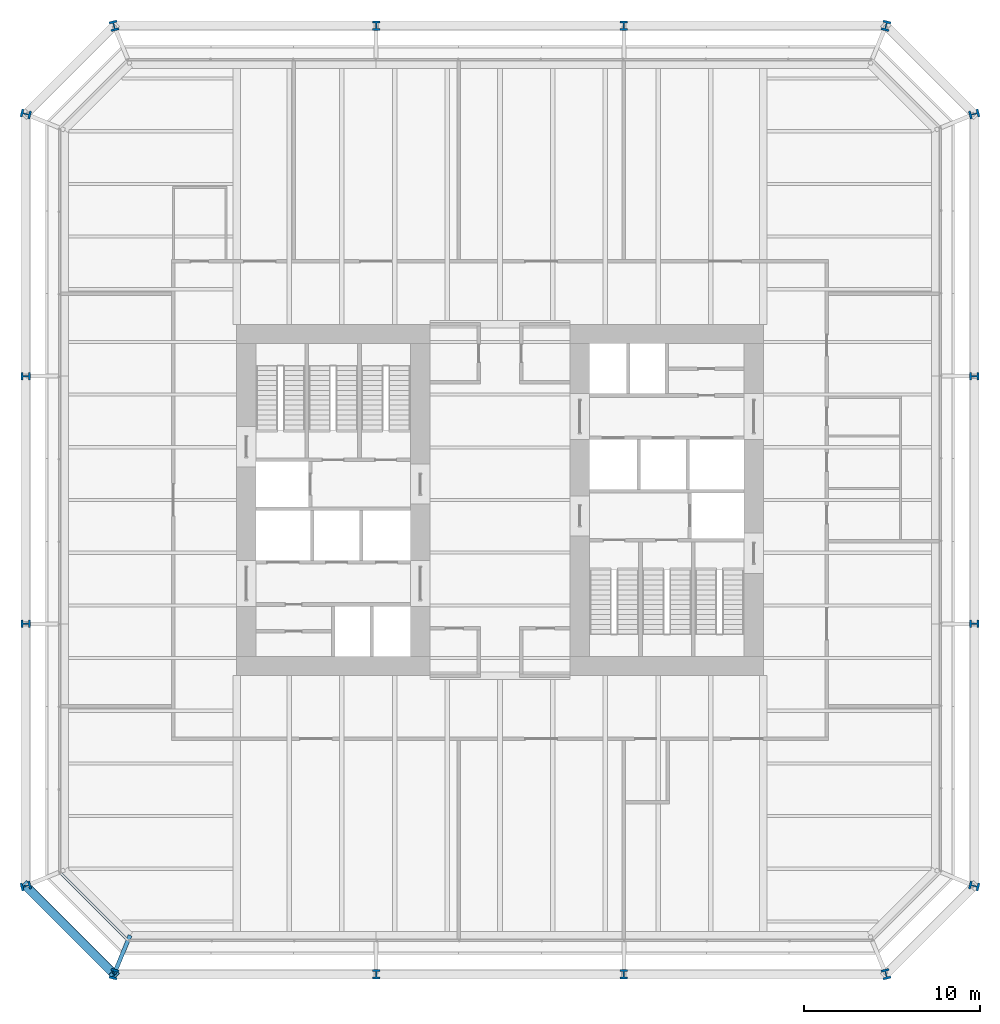
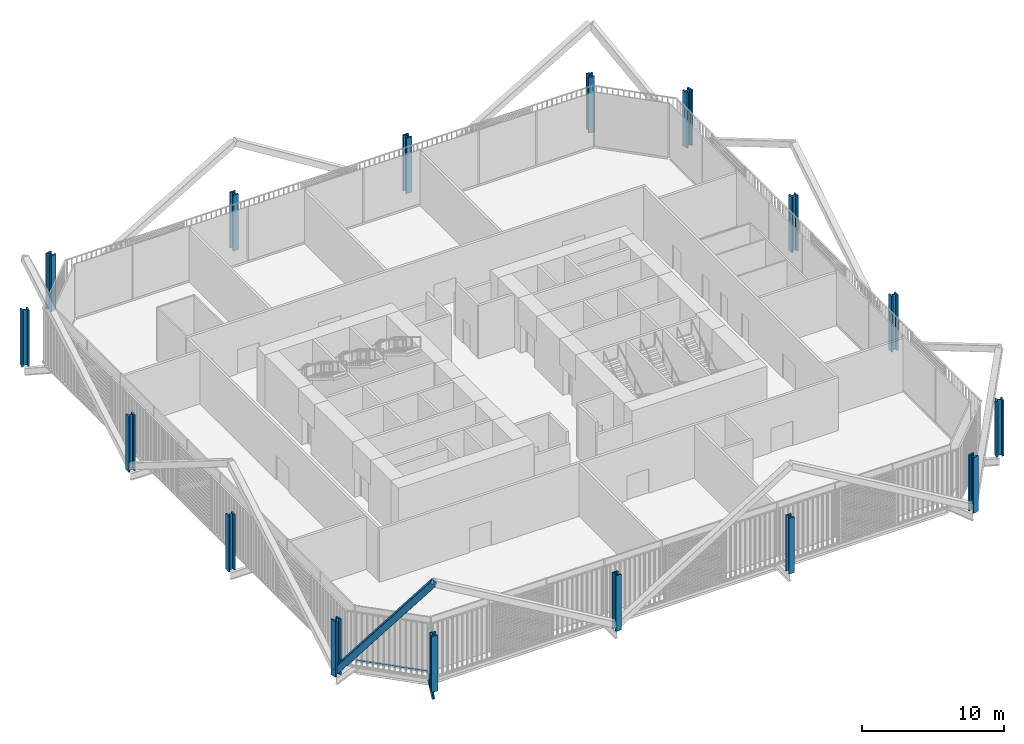
# One storey, part 1 of 22: 16 columns, 2 members, 1 beam, 1 element without a shape of its own.
"""IFC4 building model written with IfcOpenShell, lengths in metres."""

from ifc_helpers import new_model, si_unit, direction, frame, origin, origin_2d, place, context, subcontext, project, spatial, rectangle, hollow_rectangle, i_section, extrude, material, layer, layer_set, material_profile, profile_set, type_object, element, aggregate, save


model = new_model("IFC4")

# Units and contexts
model_context = context("Model", 3, precision=1e-05, world=origin(), true_north=direction((0.0, 1.0)))
body_context = subcontext(model_context, "Body", "Model", "MODEL_VIEW")
ifc_project = project(units=[si_unit("LENGTHUNIT", "METRE"), si_unit("AREAUNIT", "SQUARE_METRE"), si_unit("VOLUMEUNIT", "CUBIC_METRE"), si_unit("PLANEANGLEUNIT", "RADIAN"), si_unit("MASSUNIT", "GRAM", prefix="KILO")], contexts=[model_context])

# Site, building, storey
site_placement = place(None, origin())
site = spatial("IfcSite", under=ifc_project, at=site_placement, CompositionType="ELEMENT")
building_placement = place(site_placement, origin())
building = spatial("IfcBuilding", under=site, at=building_placement, Name="Millrace Tower", CompositionType="ELEMENT")
storey_placement = place(building_placement, frame((0.0, 0.0, 35.300048828125)))
storey = spatial("IfcBuildingStorey", under=building, at=storey_placement, Name="L08", CompositionType="ELEMENT", Elevation=35.300048828125)

# Columns
ifc_material_1 = material(Name="Steel ASTM A913 Grade 65", Category="steel")
ifc_material_profile_1 = material_profile(ifc_material_1, i_section(OverallWidth=0.44189453125, OverallDepth=0.53076171875, WebThickness=0.06591796875, FlangeThickness=0.105712890625, FilletRadius=0.01513671875, at=origin_2d()))
ifc_profile_set_1 = profile_set([ifc_material_profile_1], Name="Steel ASTM A913 Grade 65")
column_type_1 = type_object("IfcColumnType", Name="Exoskeleton column W14x605", PredefinedType="COLUMN", material=ifc_profile_set_1)
for number, where, z_axis, x_axis, name in (
    (1, (-7.050048828125, -27.0, 0.0), (0.0, 0.0, 1.0), (1.0, 0.0, 0.0), "COL-A-L08-X03"),
    (2, (7.050048828125, -27.0, 0.0), (0.0, 0.0, 1.0), (1.0, 0.0, 0.0), "COL-A-L08-X04"),
    (3, (27.0, -7.050048828125, 0.0), (0.0, 0.0, 1.0), (0.0, 1.0, 0.0), "COL-A-L08-X07"),
    (4, (27.0, 7.050048828125, 0.0), (0.0, 0.0, 1.0), (0.0, 1.0, 0.0), "COL-A-L08-X08"),
    (5, (7.050048828125, 27.0, 0.0), (0.0, 0.0, 1.0), (-1.0, 0.0, 0.0), "COL-A-L08-X11"),
    (6, (-7.050048828125, 27.0, 0.0), (0.0, 0.0, 1.0), (-1.0, 0.0, 0.0), "COL-A-L08-X12"),
    (7, (-27.0, 7.050048828125, 0.0), (0.0, 0.0, 1.0), (0.0, -1.0, 0.0), "COL-A-L08-X15"),
    (8, (-27.0, -7.050048828125, 0.0), (0.0, 0.0, 1.0), (0.0, -1.0, 0.0), "COL-A-L08-X16"),
):
    element("IfcColumn", number, at=place(storey_placement, frame(where, z_axis=z_axis, x_axis=x_axis)), inside=storey, type_object=column_type_1, Name=name, PredefinedType="COLUMN", context=body_context, shape_type="SweptSolid", body=[
        extrude(i_section(OverallWidth=0.44189453125, OverallDepth=0.53076171875, WebThickness=0.06591796875, FlangeThickness=0.105712890625, FilletRadius=0.01513671875, at=origin_2d()), origin(), (0.0, 0.0, 1.0), 4.800048828125),
    ])
ifc_material_2 = material(Name="Steel ASTM A913 Grade 65", Category="steel")
ifc_material_profile_2 = material_profile(ifc_material_2, i_section(OverallWidth=0.45458984375, OverallDepth=0.56884765625, WebThickness=0.077880859375, FlangeThickness=0.124755859375, FilletRadius=0.01513671875, at=origin_2d()))
ifc_profile_set_2 = profile_set([ifc_material_profile_2], Name="Steel ASTM A913 Grade 65")
column_type_2 = type_object("IfcColumnType", Name="Exoskeleton column W14x730", PredefinedType="COLUMN", material=ifc_profile_set_2)
for number, where, z_axis, x_axis, name in (
    (9, (-27.0, -21.978515625, 0.0), (0.0, 0.0, 1.0), (0.244094142872, -0.969751540043, 0.0), "COL-A-L08-X01"),
    (10, (-21.978515625, -27.0, 0.0), (0.0, 0.0, 1.0), (0.969751540043, -0.244094142872, 0.0), "COL-A-L08-X02"),
    (11, (21.978515625, -27.0, 0.0), (0.0, 0.0, 1.0), (0.969751540043, 0.244094142872, 0.0), "COL-A-L08-X05"),
    (12, (27.0, -21.978515625, 0.0), (0.0, 0.0, 1.0), (0.244094142872, 0.969751540043, 0.0), "COL-A-L08-X06"),
    (13, (27.0, 21.978515625, 0.0), (0.0, 0.0, 1.0), (-0.244094142872, 0.969751540043, 0.0), "COL-A-L08-X09"),
    (14, (21.978515625, 27.0, 0.0), (0.0, 0.0, 1.0), (-0.969751540043, 0.244094142872, 0.0), "COL-A-L08-X10"),
    (15, (-21.978515625, 27.0, 0.0), (0.0, 0.0, 1.0), (-0.969751540043, -0.244094142872, 0.0), "COL-A-L08-X13"),
    (16, (-27.0, 21.978515625, 0.0), (0.0, 0.0, 1.0), (-0.244094142872, -0.969751540043, 0.0), "COL-A-L08-X14"),
):
    element("IfcColumn", number, at=place(storey_placement, frame(where, z_axis=z_axis, x_axis=x_axis)), inside=storey, type_object=column_type_2, Name=name, PredefinedType="COLUMN", context=body_context, shape_type="SweptSolid", body=[
        extrude(i_section(OverallWidth=0.45458984375, OverallDepth=0.56884765625, WebThickness=0.077880859375, FlangeThickness=0.124755859375, FilletRadius=0.01513671875, at=origin_2d()), origin(), (0.0, 0.0, 1.0), 4.800048828125),
    ])

# Curtain wall, member
ifc_material_3 = material(Name="Aluminium and glass", Category="aluminium")
ifc_layer = layer(ifc_material_3, 0.14990234375)
ifc_layer_set = layer_set([ifc_layer], Name="Aluminium and glass")
curtain_wall_type = type_object("IfcCurtainWallType", Name="CW-2 data hall insulated curtain wall", PredefinedType="NOTDEFINED", material=ifc_layer_set)
curtain_wall_placement = place(storey_placement, origin())
curtain_wall = element("IfcCurtainWall", 17, at=curtain_wall_placement, inside=storey, type_object=curtain_wall_type, Name="Curtain wall A-F01 L08", PredefinedType="NOTDEFINED")
ifc_material_4 = material(Name="Aluminium", Category="aluminium")
ifc_material_profile_3 = material_profile(ifc_material_4, rectangle(XDim=0.14990234375, YDim=0.159912109375, at=origin_2d()))
ifc_profile_set_3 = profile_set([ifc_material_profile_3], Name="Aluminium")
member_type_1 = type_object("IfcMemberType", Name="CW-2 data hall insulated curtain wall transom", PredefinedType="USERDEFINED", material=ifc_profile_set_3)
member_1_placement = place(storey_placement, frame((-24.982421875, -21.273681640625, 0.079833984375), z_axis=(0.707106781187, -0.707106781187, 0.0), x_axis=(0.707106781187, 0.707106781187, 0.0)))
member_1 = element("IfcMember", 18, at=member_1_placement, type_object=member_type_1, Name="CW2 transom A-F01.1", ObjectType="TRANSOM", PredefinedType="USERDEFINED", context=body_context, shape_type="SweptSolid", body=[
    extrude(rectangle(XDim=0.14990234375, YDim=0.159912109375, at=origin_2d()), origin(), (0.0, 0.0, 1.0), 5.244873046875),
])
aggregate(curtain_wall, [member_1])

# Member
ifc_material_5 = material(Name="Steel ASTM A500 Grade C", Category="steel")
ifc_material_profile_4 = material_profile(ifc_material_5, hollow_rectangle(XDim=0.508056640625, YDim=0.508056640625, WallThickness=0.01904296875, InnerFilletRadius=0.009521484375, OuterFilletRadius=0.028564453125, at=origin_2d()))
ifc_profile_set_4 = profile_set([ifc_material_profile_4], Name="Steel ASTM A500 Grade C")
member_type_2 = type_object("IfcMemberType", Name="Exoskeleton brace HSS20x20x3/4", PredefinedType="BRACE", material=ifc_profile_set_4)
member_2_placement = place(storey_placement, frame((-27.0, -21.978515625, 0.39990234375), z_axis=(0.444063713793, -0.444063713793, 0.77821259061), x_axis=(0.707106781187, 0.707106781187, 0.0)))
element("IfcMember", 19, at=member_2_placement, inside=storey, type_object=member_type_2, Name="BRC-A-L08-01", PredefinedType="BRACE", context=body_context, shape_type="SweptSolid", body=[
    extrude(hollow_rectangle(XDim=0.508056640625, YDim=0.508056640625, WallThickness=0.01904296875, InnerFilletRadius=0.009521484375, OuterFilletRadius=0.028564453125, at=origin_2d()), origin(), (0.0, 0.0, 1.0), 11.30810546875),
])

# Beam
ifc_material_6 = material(Name="Steel ASTM A992 Grade 50", Category="steel")
ifc_material_profile_5 = material_profile(ifc_material_6, i_section(OverallWidth=0.23046875, OverallDepth=0.6171875, WebThickness=0.01318359375, FlangeThickness=0.022216796875, FilletRadius=0.012939453125, at=origin_2d()))
ifc_profile_set_5 = profile_set([ifc_material_profile_5], Name="Steel ASTM A992 Grade 50")
beam_type = type_object("IfcBeamType", Name="Link beam W24x94", PredefinedType="BEAM", material=ifc_profile_set_5)
beam_placement = place(storey_placement, frame((-21.062744140625, -24.7890625, -0.53369140625), z_axis=(-0.382673155247, -0.923883789366, 0.0), x_axis=(0.923883789366, -0.382673155247, 0.0)))
element("IfcBeam", 20, at=beam_placement, inside=storey, type_object=beam_type, Name="LNK-A-L08-S1-16", PredefinedType="BEAM", context=body_context, shape_type="SweptSolid", body=[
    extrude(i_section(OverallWidth=0.23046875, OverallDepth=0.6171875, WebThickness=0.01318359375, FlangeThickness=0.022216796875, FilletRadius=0.012939453125, at=origin_2d()), origin(), (0.0, 0.0, 1.0), 2.39306640625),
])

save(model, "model.ifc")
